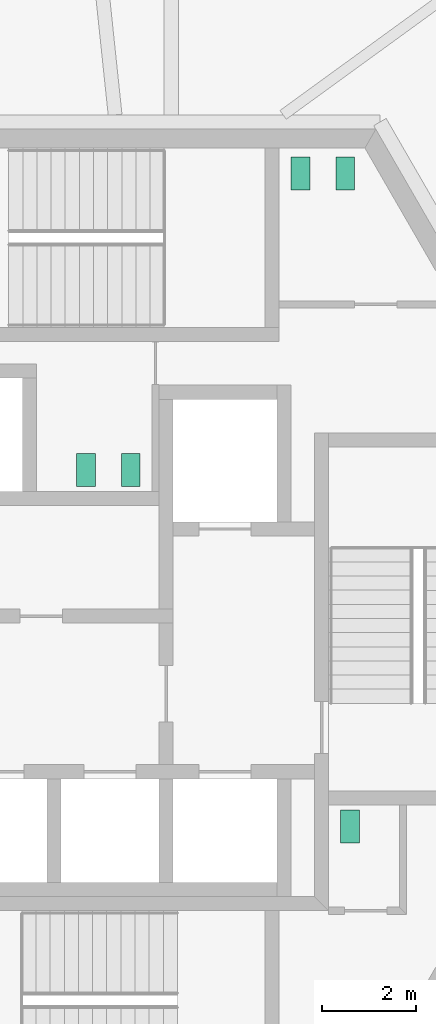
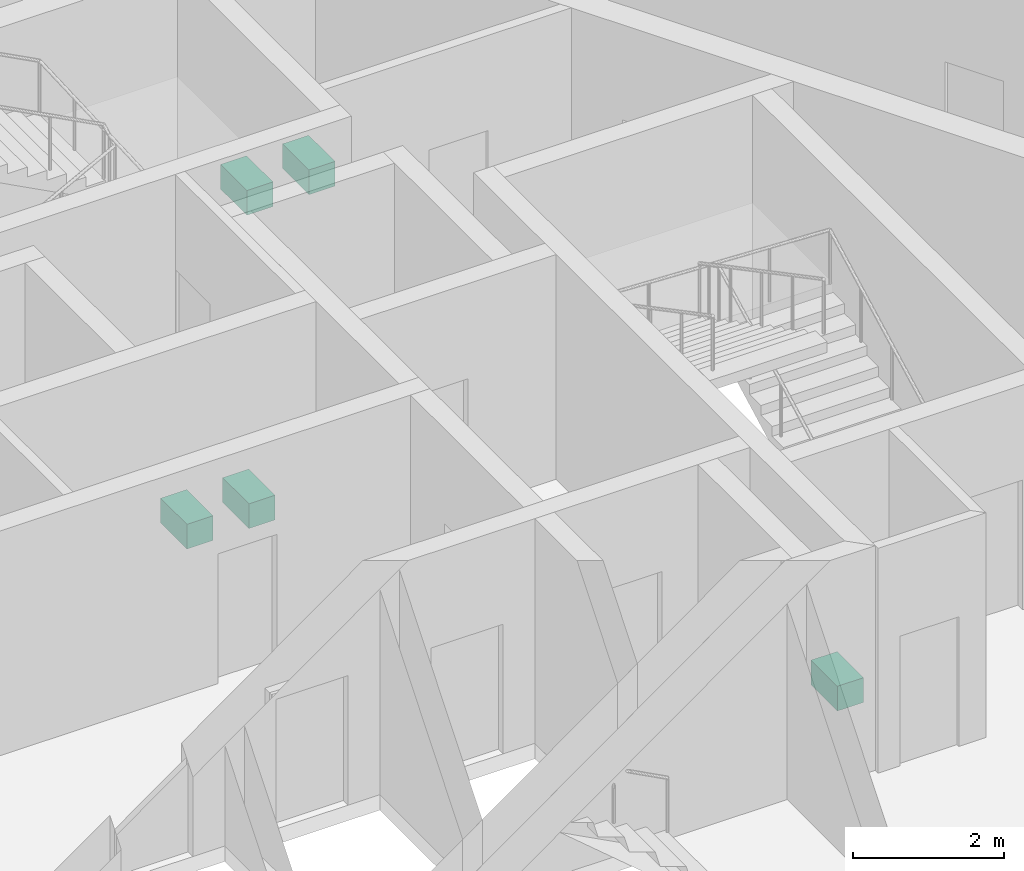
# One storey, part 23 of 23: 5 sanitary terminals.
"""IFC4 building model written with IfcOpenShell, lengths in metres."""

from ifc_helpers import new_model, si_unit, direction, frame, origin, origin_2d, place, context, subcontext, project, spatial, rectangle, extrude, source, transform, mapped, material, element, save


model = new_model("IFC4")

# Units and contexts
model_context = context("Model", 3, precision=1e-05, world=origin(), true_north=direction((0.0, 1.0)))
body_context = subcontext(model_context, "Body", "Model", "MODEL_VIEW")
ifc_project = project(units=[si_unit("LENGTHUNIT", "METRE"), si_unit("AREAUNIT", "SQUARE_METRE"), si_unit("VOLUMEUNIT", "CUBIC_METRE"), si_unit("PLANEANGLEUNIT", "RADIAN"), si_unit("MASSUNIT", "GRAM", prefix="KILO")], contexts=[model_context])

# Site, building, storey
site_placement = place(None, origin())
site = spatial("IfcSite", under=ifc_project, at=site_placement, CompositionType="ELEMENT")
building_placement = place(site_placement, origin())
building = spatial("IfcBuilding", under=site, at=building_placement, Name="Triune Harvest Tower", CompositionType="ELEMENT")
storey_placement = place(building_placement, frame((0.0, 0.0, 255.699951171875)))
storey = spatial("IfcBuildingStorey", under=building, at=storey_placement, Name="L67", CompositionType="ELEMENT", Elevation=255.699951171875)

# Sanitary terminals
ifc_material = material(Name="Vitreous china")
shared_shape = source(origin(), body_context, "Body", "SweptSolid", [
    extrude(rectangle(XDim=0.39990234375, YDim=0.699951171875, at=origin_2d()), origin(), (0.0, 0.0, 1.0), 0.39990234375),
])
for number, where, z_axis, x_axis, name in (
    (1, (4.39990234375, 9.449951171875, 0.0), (0.0, 0.0, 1.0), (1.0, 0.0, 0.0), "Toilet pan L67.c01"),
    (2, (5.35009765625, 9.449951171875, 0.0), (0.0, 0.0, 1.0), (1.0, 0.0, 0.0), "Toilet pan L67.c02"),
    (3, (0.800048828125, 3.159912109375, 0.0), (0.0, 0.0, 1.0), (-1.0, 0.0, 0.0), "Toilet pan L67.c03"),
    (4, (-0.14990234375, 3.159912109375, 0.0), (0.0, 0.0, 1.0), (-1.0, 0.0, 0.0), "Toilet pan L67.c04"),
    (5, (5.449951171875, -4.39990234375, 0.0), (0.0, 0.0, 1.0), (1.0, 0.0, 0.0), "Toilet pan L67.c05"),
):
    element("IfcSanitaryTerminal", number, at=place(storey_placement, frame(where, z_axis=z_axis, x_axis=x_axis)), inside=storey, material=ifc_material, Name=name, PredefinedType="TOILETPAN", context=body_context, shape_type="MappedRepresentation", body=[
        mapped(shared_shape, transform((0.0, 0.0, 0.0), scale=1.0)),
    ])

save(model, "model.ifc")
